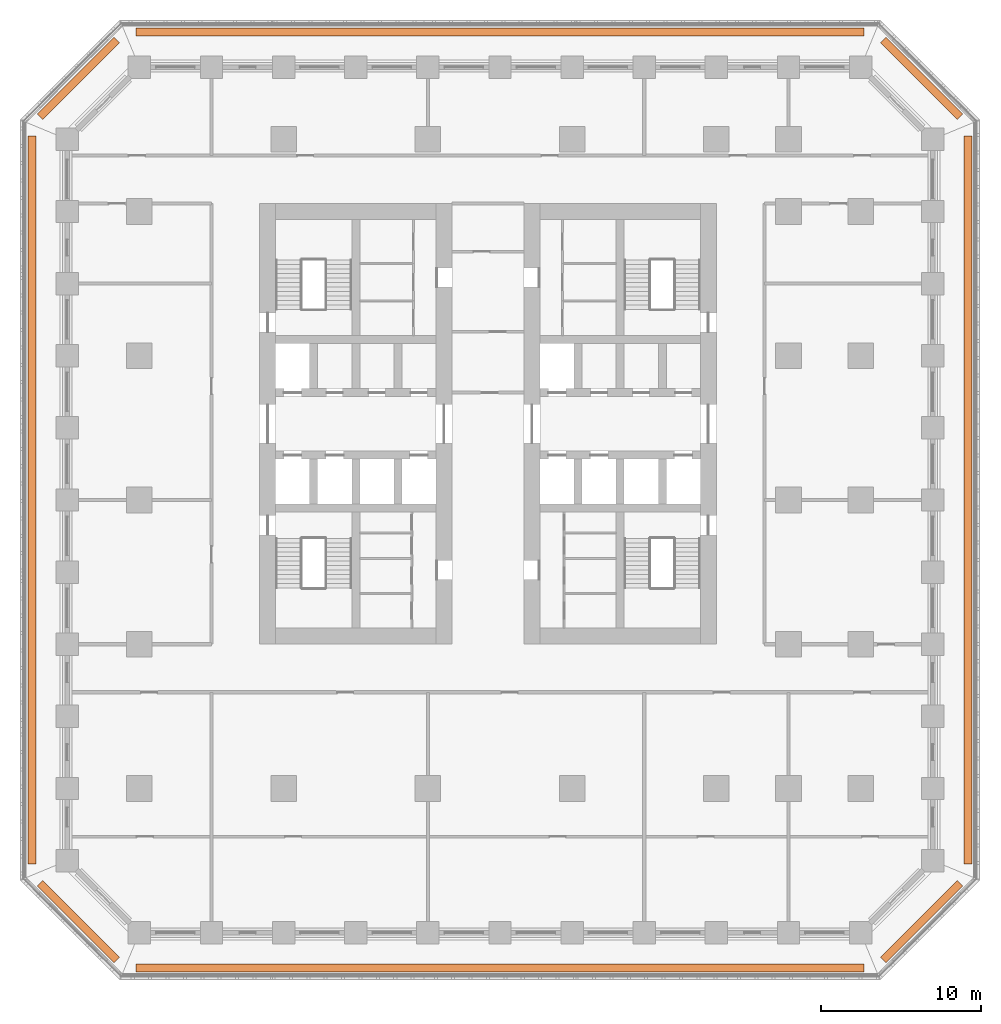
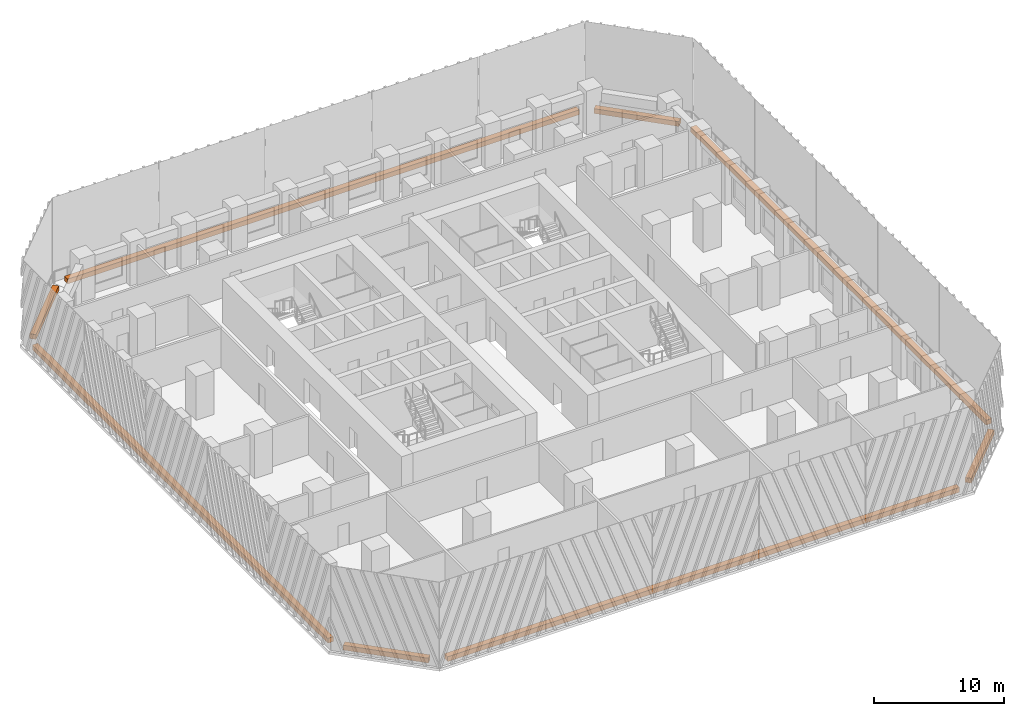
# One storey, part 14 of 14: 8 proxies.
"""IFC4 building model written with IfcOpenShell, lengths in metres."""

from ifc_helpers import new_model, si_unit, direction, frame, origin, origin_2d, place, context, subcontext, project, spatial, rectangle, extrude, material, type_object, element, save


model = new_model("IFC4")

# Units and contexts
model_context = context("Model", 3, precision=1e-05, world=origin(), true_north=direction((0.0, 1.0)))
body_context = subcontext(model_context, "Body", "Model", "MODEL_VIEW")
ifc_project = project(units=[si_unit("LENGTHUNIT", "METRE"), si_unit("AREAUNIT", "SQUARE_METRE"), si_unit("VOLUMEUNIT", "CUBIC_METRE"), si_unit("PLANEANGLEUNIT", "RADIAN"), si_unit("MASSUNIT", "GRAM", prefix="KILO")], contexts=[model_context])

# Site, building, storey
site_placement = place(None, origin())
site = spatial("IfcSite", under=ifc_project, at=site_placement, CompositionType="ELEMENT")
building_placement = place(site_placement, origin())
building = spatial("IfcBuilding", under=site, at=building_placement, Name="Corbel Stack Research Tower", CompositionType="ELEMENT")
storey_placement = place(building_placement, frame((0.0, 0.0, 50.10009765625)))
storey = spatial("IfcBuildingStorey", under=building, at=storey_placement, Name="L11", CompositionType="ELEMENT", Elevation=50.10009765625)

# Proxies
ifc_material = material(Name="Concrete C45/55", Category="concrete")
building_element_proxy_type = type_object("IfcBuildingElementProxyType", Name="Planter box", PredefinedType="USERDEFINED", material=ifc_material)
proxy_1_placement = place(storey_placement, frame((4.5, -29.199951171875, 0.0), z_axis=(0.0, 0.0, 1.0), x_axis=(1.0, 0.0, 0.0)))
element("IfcBuildingElementProxy", 1, at=proxy_1_placement, inside=storey, type_object=building_element_proxy_type, Name="Planter L11 S", ObjectType="PLANTER", PredefinedType="USERDEFINED", context=body_context, shape_type="SweptSolid", body=[
    extrude(rectangle(XDim=45.41064453125, YDim=0.5, at=origin_2d()), origin(), (0.0, 0.0, 1.0), 0.449951171875),
])
proxy_2_placement = place(storey_placement, frame((30.8056640625, -26.3056640625, 0.0), z_axis=(0.0, 0.0, 1.0), x_axis=(0.707106781187, 0.707106781187, 0.0)))
element("IfcBuildingElementProxy", 2, at=proxy_2_placement, inside=storey, type_object=building_element_proxy_type, Name="Planter L11 SE", ObjectType="PLANTER", PredefinedType="USERDEFINED", context=body_context, shape_type="SweptSolid", body=[
    extrude(rectangle(XDim=6.774658203125, YDim=0.5, at=origin_2d()), origin(), (0.0, 0.0, 1.0), 0.449951171875),
])
proxy_3_placement = place(storey_placement, frame((33.699951171875, 0.0, 0.0), z_axis=(0.0, 0.0, 1.0), x_axis=(0.0, 1.0, 0.0)))
element("IfcBuildingElementProxy", 3, at=proxy_3_placement, inside=storey, type_object=building_element_proxy_type, Name="Planter L11 E", ObjectType="PLANTER", PredefinedType="USERDEFINED", context=body_context, shape_type="SweptSolid", body=[
    extrude(rectangle(XDim=45.41064453125, YDim=0.5, at=origin_2d()), origin(), (0.0, 0.0, 1.0), 0.449951171875),
])
proxy_4_placement = place(storey_placement, frame((30.8056640625, 26.3056640625, 0.0), z_axis=(0.0, 0.0, 1.0), x_axis=(-0.707106781187, 0.707106781187, 0.0)))
element("IfcBuildingElementProxy", 4, at=proxy_4_placement, inside=storey, type_object=building_element_proxy_type, Name="Planter L11 NE", ObjectType="PLANTER", PredefinedType="USERDEFINED", context=body_context, shape_type="SweptSolid", body=[
    extrude(rectangle(XDim=6.774658203125, YDim=0.5, at=origin_2d()), origin(), (0.0, 0.0, 1.0), 0.449951171875),
])
proxy_5_placement = place(storey_placement, frame((4.5, 29.199951171875, 0.0), z_axis=(0.0, 0.0, 1.0), x_axis=(-1.0, 0.0, 0.0)))
element("IfcBuildingElementProxy", 5, at=proxy_5_placement, inside=storey, type_object=building_element_proxy_type, Name="Planter L11 N", ObjectType="PLANTER", PredefinedType="USERDEFINED", context=body_context, shape_type="SweptSolid", body=[
    extrude(rectangle(XDim=45.41064453125, YDim=0.5, at=origin_2d()), origin(), (0.0, 0.0, 1.0), 0.449951171875),
])
proxy_6_placement = place(storey_placement, frame((-21.8056640625, 26.3056640625, 0.0), z_axis=(0.0, 0.0, 1.0), x_axis=(-0.707106781187, -0.707106781187, 0.0)))
element("IfcBuildingElementProxy", 6, at=proxy_6_placement, inside=storey, type_object=building_element_proxy_type, Name="Planter L11 NW", ObjectType="PLANTER", PredefinedType="USERDEFINED", context=body_context, shape_type="SweptSolid", body=[
    extrude(rectangle(XDim=6.774658203125, YDim=0.5, at=origin_2d()), origin(), (0.0, 0.0, 1.0), 0.449951171875),
])
proxy_7_placement = place(storey_placement, frame((-24.699951171875, 0.0, 0.0), z_axis=(0.0, 0.0, 1.0), x_axis=(0.0, -1.0, 0.0)))
element("IfcBuildingElementProxy", 7, at=proxy_7_placement, inside=storey, type_object=building_element_proxy_type, Name="Planter L11 W", ObjectType="PLANTER", PredefinedType="USERDEFINED", context=body_context, shape_type="SweptSolid", body=[
    extrude(rectangle(XDim=45.41064453125, YDim=0.5, at=origin_2d()), origin(), (0.0, 0.0, 1.0), 0.449951171875),
])
proxy_8_placement = place(storey_placement, frame((-21.8056640625, -26.3056640625, 0.0), z_axis=(0.0, 0.0, 1.0), x_axis=(0.707106781187, -0.707106781187, 0.0)))
element("IfcBuildingElementProxy", 8, at=proxy_8_placement, inside=storey, type_object=building_element_proxy_type, Name="Planter L11 SW", ObjectType="PLANTER", PredefinedType="USERDEFINED", context=body_context, shape_type="SweptSolid", body=[
    extrude(rectangle(XDim=6.774658203125, YDim=0.5, at=origin_2d()), origin(), (0.0, 0.0, 1.0), 0.449951171875),
])

save(model, "model.ifc")
